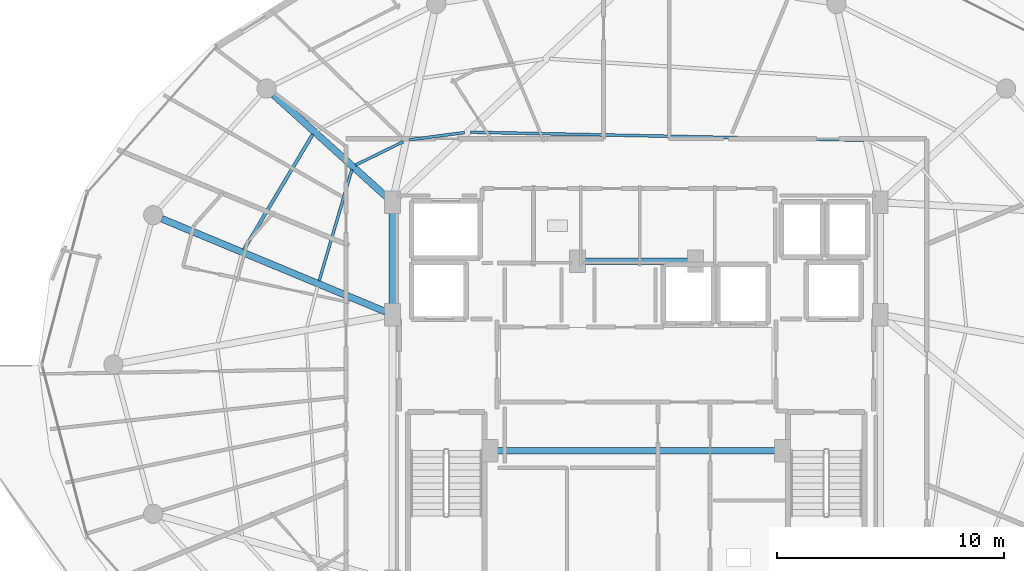
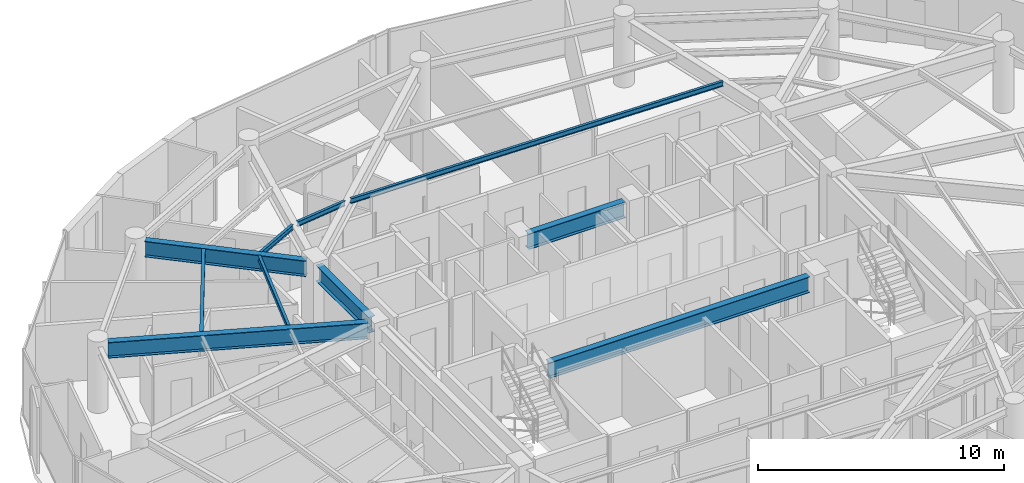
# One storey, part 10 of 31: 10 beams.
"""IFC4 building model written with IfcOpenShell, lengths in metres."""

from ifc_helpers import new_model, si_unit, direction, frame, origin, origin_2d, place, context, subcontext, project, spatial, i_section, extrude, material, material_profile, profile_set, type_object, element, save


model = new_model("IFC4")

# Units and contexts
model_context = context("Model", 3, precision=1e-05, world=origin(), true_north=direction((0.0, 1.0)))
body_context = subcontext(model_context, "Body", "Model", "MODEL_VIEW")
ifc_project = project(units=[si_unit("LENGTHUNIT", "METRE"), si_unit("AREAUNIT", "SQUARE_METRE"), si_unit("VOLUMEUNIT", "CUBIC_METRE"), si_unit("PLANEANGLEUNIT", "RADIAN"), si_unit("MASSUNIT", "GRAM", prefix="KILO")], contexts=[model_context])

# Site, building, storey
site_placement = place(None, origin())
site = spatial("IfcSite", under=ifc_project, at=site_placement, CompositionType="ELEMENT")
building_placement = place(site_placement, origin())
building = spatial("IfcBuilding", under=site, at=building_placement, Name="Vorneva Point Tower", CompositionType="ELEMENT")
storey_placement = place(building_placement, frame((0.0, 0.0, 244.89990234375)))
storey = spatial("IfcBuildingStorey", under=building, at=storey_placement, Name="L66", CompositionType="ELEMENT", Elevation=244.89990234375)

# Beams
ifc_material = material(Name="Steel S355", Category="steel")
ifc_material_profile_1 = material_profile(ifc_material, i_section(OverallWidth=0.300048828125, OverallDepth=0.7880859375, WebThickness=0.014404296875, FlangeThickness=0.02197265625, at=origin_2d()), Name="80Sh1")
ifc_profile_set_1 = profile_set([ifc_material_profile_1], Name="Steel S355")
beam_type_1 = type_object("IfcBeamType", Name="BM-GRD-80Sh1", PredefinedType="USERDEFINED", material=ifc_profile_set_1)
beam_1_placement = place(storey_placement, frame((22.0078125, 37.885498046875, 2.89599609375), z_axis=(0.7420671051, -0.670325601128, 0.0), x_axis=(0.670325601128, 0.7420671051, 0.0)))
element("IfcBeam", 1, at=beam_1_placement, inside=storey, type_object=beam_type_1, Name="L66 Radial Primary Girder 07", ObjectType="GIRDER", PredefinedType="USERDEFINED", context=body_context, shape_type="SweptSolid", body=[
    extrude(i_section(OverallWidth=0.300048828125, OverallDepth=0.7880859375, WebThickness=0.014404296875, FlangeThickness=0.02197265625, at=origin_2d()), origin(), (0.0, 0.0, 1.0), 6.724365234375),
])
beam_2_placement = place(storey_placement, frame((17.0859375, 32.423583984375, 2.89599609375), z_axis=(0.923448932068, -0.383721344027, 0.0), x_axis=(0.383721344027, 0.923448932068, 0.0)))
element("IfcBeam", 2, at=beam_2_placement, inside=storey, type_object=beam_type_1, Name="L66 Radial Primary Girder 08", ObjectType="GIRDER", PredefinedType="USERDEFINED", context=body_context, shape_type="SweptSolid", body=[
    extrude(i_section(OverallWidth=0.300048828125, OverallDepth=0.7880859375, WebThickness=0.014404296875, FlangeThickness=0.02197265625, at=origin_2d()), origin(), (0.0, 0.0, 1.0), 10.666748046875),
])
beam_3_placement = place(storey_placement, frame((27.25, 28.52001953125, 2.89599609375), z_axis=(0.0, 1.0, 0.0), x_axis=(-1.0, 0.0, 0.0)))
element("IfcBeam", 3, at=beam_3_placement, inside=storey, type_object=beam_type_1, Name="L66 Core Tie Girder CT2", ObjectType="GIRDER", PredefinedType="USERDEFINED", context=body_context, shape_type="SweptSolid", body=[
    extrude(i_section(OverallWidth=0.300048828125, OverallDepth=0.7880859375, WebThickness=0.014404296875, FlangeThickness=0.02197265625, at=origin_2d()), origin(), (0.0, 0.0, 1.0), 4.31005859375),
])
beam_4_placement = place(storey_placement, frame((35.719970703125, 30.550048828125, 2.89599609375), z_axis=(1.0, 0.0, 0.0), x_axis=(0.0, 1.0, 0.0)))
element("IfcBeam", 4, at=beam_4_placement, inside=storey, type_object=beam_type_1, Name="L66 Core Tie Girder CT8", ObjectType="GIRDER", PredefinedType="USERDEFINED", context=body_context, shape_type="SweptSolid", body=[
    extrude(i_section(OverallWidth=0.300048828125, OverallDepth=0.7880859375, WebThickness=0.014404296875, FlangeThickness=0.02197265625, at=origin_2d()), origin(), (0.0, 0.0, 1.0), 4.56005859375),
])
beam_5_placement = place(storey_placement, frame((31.8701171875, 22.199951171875, 2.89599609375), z_axis=(1.0, 0.0, 0.0), x_axis=(0.0, 1.0, 0.0)))
element("IfcBeam", 5, at=beam_5_placement, inside=storey, type_object=beam_type_1, Name="L66 Core Tie Girder CT7", ObjectType="GIRDER", PredefinedType="USERDEFINED", context=body_context, shape_type="SweptSolid", body=[
    extrude(i_section(OverallWidth=0.300048828125, OverallDepth=0.7880859375, WebThickness=0.014404296875, FlangeThickness=0.02197265625, at=origin_2d()), origin(), (0.0, 0.0, 1.0), 12.259765625),
])
ifc_material_profile_2 = material_profile(ifc_material, i_section(OverallWidth=0.1240234375, OverallDepth=0.248046875, WebThickness=0.0048828125, FlangeThickness=0.008056640625, at=origin_2d()), Name="25B1")
ifc_profile_set_2 = profile_set([ifc_material_profile_2], Name="Steel S355")
beam_type_2 = type_object("IfcBeamType", Name="BM-JST-25B1", PredefinedType="JOIST", material=ifc_profile_set_2)
beam_6_placement = place(storey_placement, frame((48.0087890625, 35.886474609375, 3.166015625), z_axis=(-0.999791583609, 0.020415419295, 0.0), x_axis=(-0.020415419295, -0.999791583609, 0.0)))
element("IfcBeam", 6, at=beam_6_placement, inside=storey, type_object=beam_type_2, Name="L66 Secondary Floor Beam 2.04", PredefinedType="JOIST", context=body_context, shape_type="SweptSolid", body=[
    extrude(i_section(OverallWidth=0.1240234375, OverallDepth=0.248046875, WebThickness=0.0048828125, FlangeThickness=0.008056640625, at=origin_2d()), origin(), (0.0, 0.0, 1.0), 17.316162109375),
])
beam_7_placement = place(storey_placement, frame((30.421630859375, 36.224853515625, 3.166015625), z_axis=(-0.991292972716, -0.131674759328, 0.0), x_axis=(0.131674759328, -0.991292972716, 0.0)))
element("IfcBeam", 7, at=beam_7_placement, inside=storey, type_object=beam_type_2, Name="L66 Secondary Floor Beam 2.05", PredefinedType="JOIST", context=body_context, shape_type="SweptSolid", body=[
    extrude(i_section(OverallWidth=0.1240234375, OverallDepth=0.248046875, WebThickness=0.0048828125, FlangeThickness=0.008056640625, at=origin_2d()), origin(), (0.0, 0.0, 1.0), 2.452880859375),
])
beam_8_placement = place(storey_placement, frame((27.7294921875, 35.822998046875, 3.166015625), z_axis=(-0.897898931546, -0.440201668249, 0.0), x_axis=(0.440201668249, -0.897898931546, 0.0)))
element("IfcBeam", 8, at=beam_8_placement, inside=storey, type_object=beam_type_2, Name="L66 Secondary Floor Beam 2.06", PredefinedType="JOIST", context=body_context, shape_type="SweptSolid", body=[
    extrude(i_section(OverallWidth=0.1240234375, OverallDepth=0.248046875, WebThickness=0.0048828125, FlangeThickness=0.008056640625, at=origin_2d()), origin(), (0.0, 0.0, 1.0), 2.34423828125),
])
beam_9_placement = place(storey_placement, frame((25.4619140625, 34.59765625, 3.166015625), z_axis=(-0.281938877831, -0.959432368209, 0.0), x_axis=(0.959432368209, -0.281938877831, 0.0)))
element("IfcBeam", 9, at=beam_9_placement, inside=storey, type_object=beam_type_2, Name="L66 Secondary Floor Beam 2.07", PredefinedType="JOIST", context=body_context, shape_type="SweptSolid", body=[
    extrude(i_section(OverallWidth=0.1240234375, OverallDepth=0.248046875, WebThickness=0.0048828125, FlangeThickness=0.008056640625, at=origin_2d()), origin(), (0.0, 0.0, 1.0), 5.1142578125),
])
ifc_material_profile_3 = material_profile(ifc_material, i_section(OverallWidth=0.14892578125, OverallDepth=0.298095703125, WebThickness=0.005615234375, FlangeThickness=0.008056640625, at=origin_2d()), Name="30B1")
ifc_profile_set_3 = profile_set([ifc_material_profile_3], Name="Steel S355")
beam_type_3 = type_object("IfcBeamType", Name="BM-JST-30B1", PredefinedType="JOIST", material=ifc_profile_set_3)
beam_10_placement = place(storey_placement, frame((23.7333984375, 36.144287109375, 3.14111328125), z_axis=(-0.512672626115, -0.858584170849, 0.0), x_axis=(0.858584170849, -0.512672626115, 0.0)))
element("IfcBeam", 10, at=beam_10_placement, inside=storey, type_object=beam_type_3, Name="L66 Secondary Floor Beam 1.07", PredefinedType="JOIST", context=body_context, shape_type="SweptSolid", body=[
    extrude(i_section(OverallWidth=0.14892578125, OverallDepth=0.298095703125, WebThickness=0.005615234375, FlangeThickness=0.008056640625, at=origin_2d()), origin(), (0.0, 0.0, 1.0), 5.91162109375),
])

save(model, "model.ifc")
